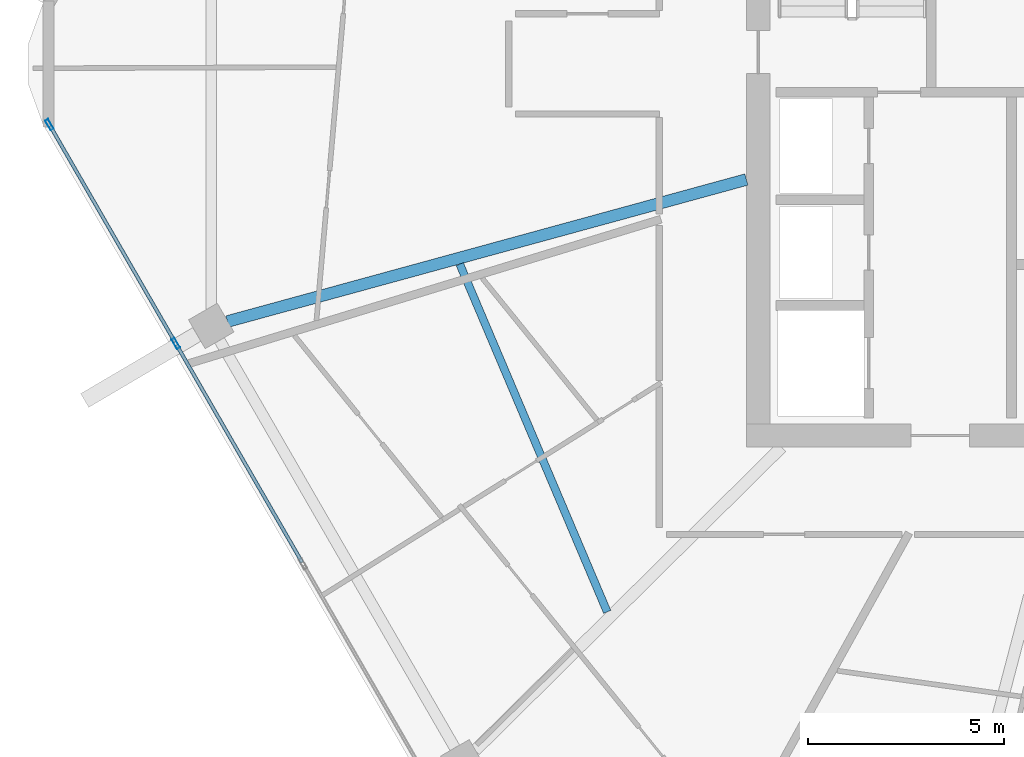
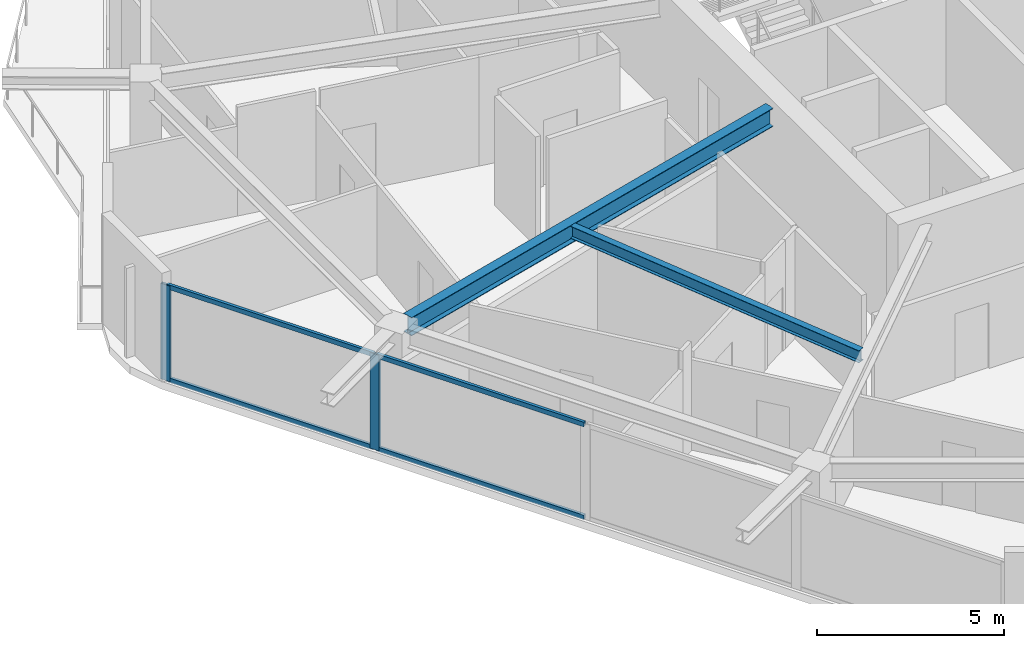
# One storey, part 5 of 26: 6 members, 2 beams, 1 element without a shape of its own.
"""IFC4 building model written with IfcOpenShell, lengths in metres."""

from ifc_helpers import new_model, si_unit, direction, frame, origin, origin_2d, place, context, subcontext, project, spatial, hollow_rectangle, i_section, extrude, material, material_profile, profile_set, type_object, element, aggregate, save


model = new_model("IFC4")

# Units and contexts
model_context = context("Model", 3, precision=1e-05, world=origin(), true_north=direction((0.0, 1.0)))
body_context = subcontext(model_context, "Body", "Model", "MODEL_VIEW")
ifc_project = project(units=[si_unit("LENGTHUNIT", "METRE"), si_unit("AREAUNIT", "SQUARE_METRE"), si_unit("VOLUMEUNIT", "CUBIC_METRE"), si_unit("PLANEANGLEUNIT", "RADIAN"), si_unit("MASSUNIT", "GRAM", prefix="KILO")], contexts=[model_context])

# Site, building, storey
site_placement = place(None, origin())
site = spatial("IfcSite", under=ifc_project, at=site_placement, CompositionType="ELEMENT")
building_placement = place(site_placement, origin())
building = spatial("IfcBuilding", under=site, at=building_placement, Name="Zuhravey Tower", CompositionType="ELEMENT")
storey_placement = place(building_placement, frame((0.0, 0.0, 280.60009765625)))
storey = spatial("IfcBuildingStorey", under=building, at=storey_placement, Name="L71", CompositionType="ELEMENT", Elevation=280.60009765625)

# Curtain wall, members
ifc_material_1 = material(Name="Thermally broken anodised aluminium", Category="aluminium")
curtain_wall_type = type_object("IfcCurtainWallType", Name="Zone 3-4 High-Rise Curtain Wall CW4", PredefinedType="NOTDEFINED", material=ifc_material_1)
curtain_wall_placement = place(storey_placement, origin())
curtain_wall = element("IfcCurtainWall", 1, at=curtain_wall_placement, inside=storey, type_object=curtain_wall_type, Name="L71 CW4 CW-L71-F4-1", PredefinedType="NOTDEFINED")
ifc_material_2 = material(Name="Anodised aluminium", Category="aluminium")
ifc_material_profile_1 = material_profile(ifc_material_2, hollow_rectangle(XDim=0.090087890625, YDim=0.284912109375, WallThickness=0.0048828125, at=origin_2d()), Name="ALU-RHS-90x285x5")
ifc_profile_set_1 = profile_set([ifc_material_profile_1], Name="Anodised aluminium")
member_type_1 = type_object("IfcMemberType", Name="Curtain-Wall Mullion 90x180", PredefinedType="MULLION", material=ifc_profile_set_1)
member_1_placement = place(storey_placement, frame((10.608154296875, 24.852783203125, 0.0), z_axis=(0.0, 0.0, 1.0), x_axis=(-0.866024851021, -0.500000957414, 0.0)))
member_1 = element("IfcMember", 2, at=member_1_placement, type_object=member_type_1, Name="CW4 mullion 4", PredefinedType="MULLION", context=body_context, shape_type="SweptSolid", body=[
    extrude(hollow_rectangle(XDim=0.090087890625, YDim=0.284912109375, WallThickness=0.0048828125, at=origin_2d()), origin(), (0.0, 0.0, 1.0), 3.121826171875),
])
member_2_placement = place(storey_placement, frame((7.37744140625, 30.448486328125, 0.0), z_axis=(0.0, 0.0, 1.0), x_axis=(-0.866024851021, -0.500000957414, 0.0)))
member_2 = element("IfcMember", 3, at=member_2_placement, type_object=member_type_1, Name="CW4 mullion 5", PredefinedType="MULLION", context=body_context, shape_type="SweptSolid", body=[
    extrude(hollow_rectangle(XDim=0.090087890625, YDim=0.284912109375, WallThickness=0.0048828125, at=origin_2d()), origin(), (0.0, 0.0, 1.0), 3.121826171875),
])
ifc_material_profile_2 = material_profile(ifc_material_2, hollow_rectangle(XDim=0.090087890625, YDim=0.14990234375, WallThickness=0.0048828125, at=origin_2d()), Name="ALU-RHS-90x150x5")
ifc_profile_set_2 = profile_set([ifc_material_profile_2], Name="Anodised aluminium")
member_type_2 = type_object("IfcMemberType", Name="Curtain-Wall Transom 90x150", PredefinedType="USERDEFINED", material=ifc_profile_set_2)
member_3_placement = place(storey_placement, frame((13.8388671875, 19.257080078125, 0.044921875), z_axis=(-0.499998017366, 0.866026548456, 0.0), x_axis=(-0.866026548456, -0.499998017366, 0.0)))
member_3 = element("IfcMember", 4, at=member_3_placement, type_object=member_type_2, Name="CW4 transom 3.1", ObjectType="TRANSOM", PredefinedType="USERDEFINED", context=body_context, shape_type="SweptSolid", body=[
    extrude(hollow_rectangle(XDim=0.090087890625, YDim=0.14990234375, WallThickness=0.0048828125, at=origin_2d()), origin(), (0.0, 0.0, 1.0), 6.41650390625),
])
member_4_placement = place(storey_placement, frame((13.8388671875, 19.257080078125, 3.076904296875), z_axis=(-0.499998017366, 0.866026548456, 0.0), x_axis=(-0.866026548456, -0.499998017366, 0.0)))
member_4 = element("IfcMember", 5, at=member_4_placement, type_object=member_type_2, Name="CW4 transom 3.2", ObjectType="TRANSOM", PredefinedType="USERDEFINED", context=body_context, shape_type="SweptSolid", body=[
    extrude(hollow_rectangle(XDim=0.090087890625, YDim=0.14990234375, WallThickness=0.0048828125, at=origin_2d()), origin(), (0.0, 0.0, 1.0), 6.41650390625),
])
member_5_placement = place(storey_placement, frame((10.585693359375, 24.891845703125, 0.044921875), z_axis=(-0.500008810174, 0.866020317169, 0.0), x_axis=(-0.866020317169, -0.500008810174, 0.0)))
member_5 = element("IfcMember", 6, at=member_5_placement, type_object=member_type_2, Name="CW4 transom 4.1", ObjectType="TRANSOM", PredefinedType="USERDEFINED", context=body_context, shape_type="SweptSolid", body=[
    extrude(hollow_rectangle(XDim=0.090087890625, YDim=0.14990234375, WallThickness=0.0048828125, at=origin_2d()), origin(), (0.0, 0.0, 1.0), 6.37158203125),
])
member_6_placement = place(storey_placement, frame((10.585693359375, 24.891845703125, 3.076904296875), z_axis=(-0.500008810174, 0.866020317169, 0.0), x_axis=(-0.866020317169, -0.500008810174, 0.0)))
member_6 = element("IfcMember", 7, at=member_6_placement, type_object=member_type_2, Name="CW4 transom 4.2", ObjectType="TRANSOM", PredefinedType="USERDEFINED", context=body_context, shape_type="SweptSolid", body=[
    extrude(hollow_rectangle(XDim=0.090087890625, YDim=0.14990234375, WallThickness=0.0048828125, at=origin_2d()), origin(), (0.0, 0.0, 1.0), 6.37158203125),
])
aggregate(curtain_wall, [member_1, member_2, member_3, member_4, member_5, member_6])

# Beams
ifc_material_3 = material(Name="Steel SM355", Category="steel")
ifc_material_profile_3 = material_profile(ifc_material_3, i_section(OverallWidth=0.300048828125, OverallDepth=0.60009765625, WebThickness=0.011962890625, FlangeThickness=0.02001953125, at=origin_2d()), Name="H-600x300x12x20")
ifc_profile_set_3 = profile_set([ifc_material_profile_3], Name="Steel SM355")
beam_type_1 = type_object("IfcBeamType", Name="Radial Primary Girder H600x300", PredefinedType="BEAM", material=ifc_profile_set_3)
beam_1_placement = place(storey_placement, frame((25.197021484375, 29.04443359375, 3.25), z_axis=(-0.964549305009, -0.263902705947, 0.0), x_axis=(0.263902705947, -0.964549305009, 0.0)))
element("IfcBeam", 8, at=beam_1_placement, inside=storey, type_object=beam_type_1, Name="L71 RG3 BM-L71-RAD-07", PredefinedType="BEAM", context=body_context, shape_type="SweptSolid", body=[
    extrude(i_section(OverallWidth=0.300048828125, OverallDepth=0.60009765625, WebThickness=0.011962890625, FlangeThickness=0.02001953125, at=origin_2d()), origin(), (0.0, 0.0, 1.0), 13.756591796875),
])
ifc_material_profile_4 = material_profile(ifc_material_3, i_section(OverallWidth=0.199951171875, OverallDepth=0.39990234375, WebThickness=0.008056640625, FlangeThickness=0.012939453125, at=origin_2d()), Name="H-400x200x8x13")
ifc_profile_set_4 = profile_set([ifc_material_profile_4], Name="Steel SM355")
beam_type_2 = type_object("IfcBeamType", Name="Secondary Floor Joist H400x200", PredefinedType="JOIST", material=ifc_profile_set_4)
beam_2_placement = place(storey_placement, frame((17.869140625, 26.881103515625, 3.349853515625), z_axis=(0.390413493754, -0.920639616731, 0.0), x_axis=(0.920639616731, 0.390413493754, 0.0)))
element("IfcBeam", 9, at=beam_2_placement, inside=storey, type_object=beam_type_2, Name="L71 SJ2 BM-L71-SJ-07-1", PredefinedType="JOIST", context=body_context, shape_type="SweptSolid", body=[
    extrude(i_section(OverallWidth=0.199951171875, OverallDepth=0.39990234375, WebThickness=0.008056640625, FlangeThickness=0.012939453125, at=origin_2d()), origin(), (0.0, 0.0, 1.0), 9.656494140625),
])

save(model, "model.ifc")
